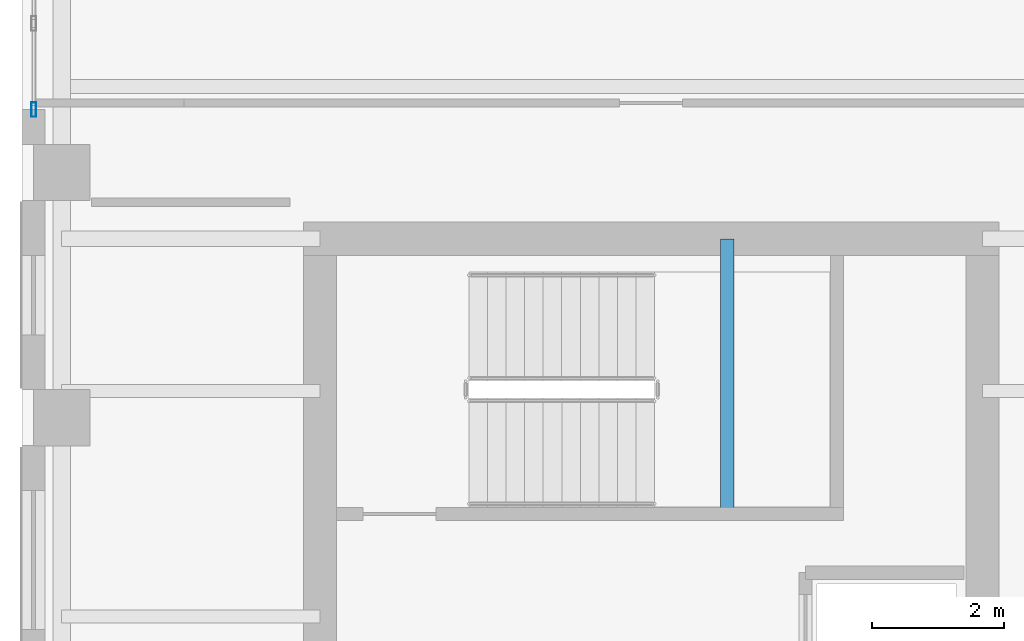
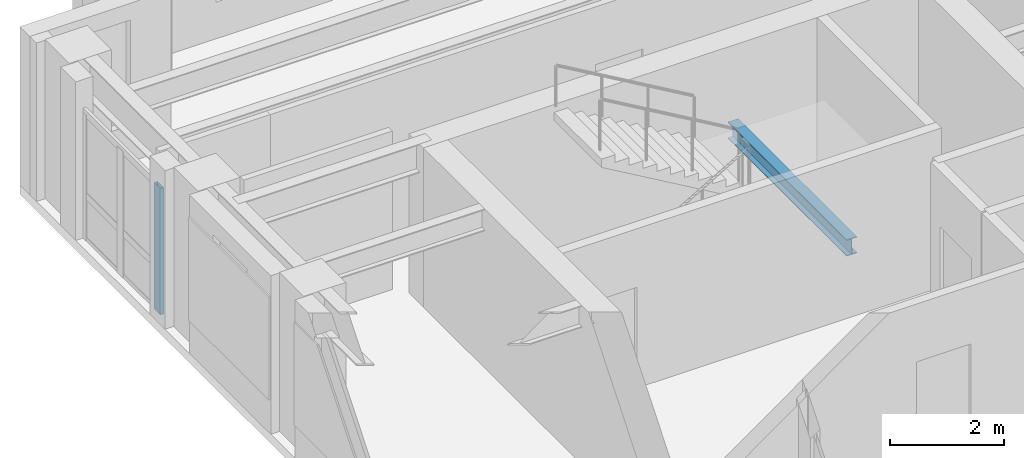
# One storey, part 2 of 12: 1 beam, 1 member, 1 element without a shape of its own.
"""IFC4 building model written with IfcOpenShell, lengths in metres."""

from ifc_helpers import new_model, si_unit, direction, frame, origin, origin_2d, place, context, subcontext, project, spatial, hollow_rectangle, i_section, extrude, source, transform, mapped, material, layer, layer_set, material_profile, profile_set, type_object, element, aggregate, save


model = new_model("IFC4")

# Units and contexts
model_context = context("Model", 3, precision=1e-05, world=origin(), true_north=direction((0.0, 1.0)))
body_context = subcontext(model_context, "Body", "Model", "MODEL_VIEW")
ifc_project = project(units=[si_unit("LENGTHUNIT", "METRE"), si_unit("AREAUNIT", "SQUARE_METRE"), si_unit("VOLUMEUNIT", "CUBIC_METRE"), si_unit("PLANEANGLEUNIT", "RADIAN"), si_unit("MASSUNIT", "GRAM", prefix="KILO")], contexts=[model_context])

# Site, building, storey
site_placement = place(None, origin())
site = spatial("IfcSite", under=ifc_project, at=site_placement, CompositionType="ELEMENT")
building_placement = place(site_placement, origin())
building = spatial("IfcBuilding", under=site, at=building_placement, Name="Kharzan Plaza Tower", CompositionType="ELEMENT")
storey_placement = place(building_placement, frame((0.0, 0.0, 255.60009765625)))
storey = spatial("IfcBuildingStorey", under=building, at=storey_placement, Name="L69", CompositionType="ELEMENT", Elevation=255.60009765625)

# Beam
ifc_material_1 = material(Name="Steel S355", Category="steel")
ifc_material_profile_1 = material_profile(ifc_material_1, i_section(OverallWidth=0.205078125, OverallDepth=0.35400390625, WebThickness=0.009521484375, FlangeThickness=0.016845703125, at=origin_2d()), Name="W360x79")
ifc_profile_set_1 = profile_set([ifc_material_profile_1], Name="Steel S355")
beam_type = type_object("IfcBeamType", Name="BM-LNT360", PredefinedType="LINTEL", material=ifc_profile_set_1)
shared_shape_1 = source(origin(), body_context, "Body", "SweptSolid", [
    extrude(i_section(OverallWidth=0.205078125, OverallDepth=0.35400390625, WebThickness=0.009521484375, FlangeThickness=0.016845703125, at=origin_2d()), origin(), (0.0, 0.0, 1.0), 4.155029296875),
])
beam_placement = place(storey_placement, frame((10.64990234375, 25.344970703125, 1.4228515625), z_axis=(0.0, 1.0, 0.0), x_axis=(-1.0, 0.0, 0.0)))
element("IfcBeam", 1, at=beam_placement, inside=storey, type_object=beam_type, Name="L69 Stair ST-2 Half-Landing Beam", PredefinedType="LINTEL", context=body_context, shape_type="MappedRepresentation", body=[
    mapped(shared_shape_1, transform((0.0, 0.0, 0.0), x_axis=(1.0, 0.0, 0.0), y_axis=(0.0, 1.0, 0.0), z_axis=(0.0, 0.0, 1.0))),
])

# Curtain wall, member
ifc_material_2 = material(Name="Unitised Bronze-Anodized Aluminium and Low-E Glass", Category="aluminium")
ifc_layer = layer(ifc_material_2, 0.199951171875)
ifc_layer_set = layer_set([ifc_layer], Name="Unitised Bronze-Anodized Aluminium and Low-E Glass")
curtain_wall_type = type_object("IfcCurtainWallType", Name="CW-EXEC-5", PredefinedType="NOTDEFINED", material=ifc_layer_set)
curtain_wall_placement = place(storey_placement, origin())
curtain_wall = element("IfcCurtainWall", 2, at=curtain_wall_placement, inside=storey, type_object=curtain_wall_type, Name="L69 Upper Executive Setback Panoramic Curtain Wall", PredefinedType="NOTDEFINED")
ifc_material_3 = material(Name="Anodized Bronze Aluminium", Category="aluminium")
ifc_material_profile_2 = material_profile(ifc_material_3, hollow_rectangle(XDim=0.074951171875, YDim=0.219970703125, WallThickness=0.00390625, at=origin_2d()), Name="ALU-M220x75x4")
ifc_profile_set_2 = profile_set([ifc_material_profile_2], Name="Anodized Bronze Aluminium")
member_type = type_object("IfcMemberType", Name="MEM-CW-MUL200", PredefinedType="MULLION", material=ifc_profile_set_2)
shared_shape_2 = source(origin(), body_context, "Body", "SweptSolid", [
    extrude(hollow_rectangle(XDim=0.074951171875, YDim=0.219970703125, WallThickness=0.00390625, at=origin_2d()), origin(), (0.0, 0.0, 1.0), 2.699951171875),
])
member_placement = place(storey_placement, frame((0.179931640625, 31.449951171875, 0.0), z_axis=(0.0, 0.0, 1.0), x_axis=(1.0, 0.0, 0.0)))
member = element("IfcMember", 3, at=member_placement, type_object=member_type, Name="L69 Curtain-Wall Mullion 00", PredefinedType="MULLION", context=body_context, shape_type="MappedRepresentation", body=[
    mapped(shared_shape_2, transform((0.0, 0.0, 0.0), x_axis=(1.0, 0.0, 0.0), y_axis=(0.0, 1.0, 0.0), z_axis=(0.0, 0.0, 1.0))),
])
aggregate(curtain_wall, [member])

save(model, "model.ifc")
